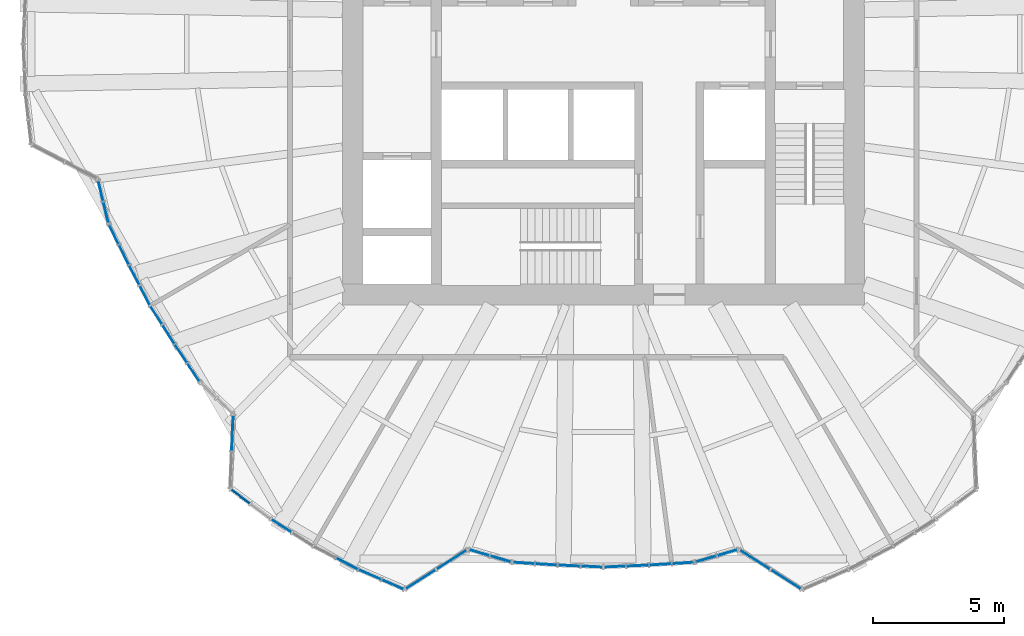
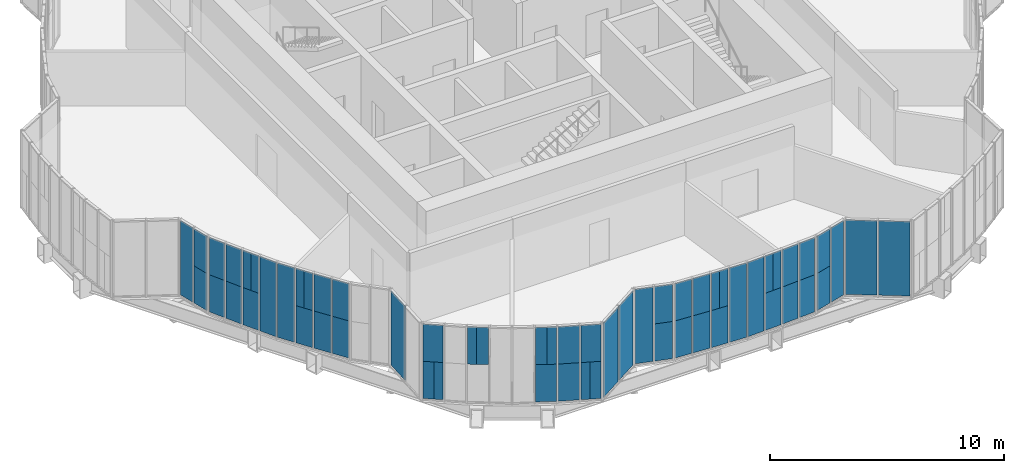
# One storey, part 13 of 24: 59 plates, 18 elements without a shape of their own.
"""IFC4 building model written with IfcOpenShell, lengths in metres."""

from ifc_helpers import new_model, si_unit, direction, frame, origin, origin_2d, place, context, subcontext, project, spatial, rectangle, extrude, material, layer, layer_set, type_object, element, aggregate, save


model = new_model("IFC4")

# Units and contexts
model_context = context("Model", 3, precision=1e-05, world=origin(), true_north=direction((0.0, 1.0)))
body_context = subcontext(model_context, "Body", "Model", "MODEL_VIEW")
ifc_project = project(units=[si_unit("LENGTHUNIT", "METRE"), si_unit("AREAUNIT", "SQUARE_METRE"), si_unit("VOLUMEUNIT", "CUBIC_METRE"), si_unit("PLANEANGLEUNIT", "RADIAN"), si_unit("MASSUNIT", "GRAM", prefix="KILO")], contexts=[model_context])

# Site, building, storey
site_placement = place(None, origin())
site = spatial("IfcSite", under=ifc_project, at=site_placement, CompositionType="ELEMENT")
building_placement = place(site_placement, origin())
building = spatial("IfcBuilding", under=site, at=building_placement, Name="Golbaran Civic Tower", CompositionType="ELEMENT")
storey_placement = place(building_placement, frame((0.0, 0.0, 25.0)))
storey = spatial("IfcBuildingStorey", under=building, at=storey_placement, Name="L05", CompositionType="ELEMENT", Elevation=25.0)

# Curtain wall, plates
ifc_material_1 = material(Name="Aluminium and glass", Category="aluminium")
curtain_wall_type = type_object("IfcCurtainWallType", Name="INNER SKIN CURTAIN WALL", PredefinedType="NOTDEFINED", material=ifc_material_1)
curtain_wall_1_placement = place(storey_placement, origin())
curtain_wall_1 = element("IfcCurtainWall", 1, at=curtain_wall_1_placement, inside=storey, type_object=curtain_wall_type, Name="Inner skin L05 facet 40 CW1", ObjectType="INNER SKIN", PredefinedType="USERDEFINED")
ifc_material_2 = material(Name="Clear insulating glass", Category="glass")
ifc_layer_1 = layer(ifc_material_2, 0.031982421875, Name="Clear insulating glass")
ifc_layer_set_1 = layer_set([ifc_layer_1], Name="Clear insulating glass")
plate_type_1 = type_object("IfcPlateType", Name="INNER SKIN CURTAIN WALL GLAZED PANEL", PredefinedType="CURTAIN_PANEL", material=ifc_layer_set_1)
plate_1_placement = place(storey_placement, frame((-19.256591796875, -5.631591796875, 0.06494140625), z_axis=(0.0, 0.0, 1.0), x_axis=(0.235524616461, -0.9718683836, 0.0)))
plate_1 = element("IfcPlate", 2, at=plate_1_placement, type_object=plate_type_1, Name="CW1 panel 1.1", PredefinedType="CURTAIN_PANEL", context=body_context, shape_type="SweptSolid", body=[
    extrude(rectangle(XDim=0.781494140625, YDim=0.031982421875, at=origin_2d()), origin(), (0.0, 0.0, 1.0), 3.8701171875),
])
plate_2_placement = place(storey_placement, frame((-19.05712890625, -6.454345703125, 0.06494140625), z_axis=(0.0, 0.0, 1.0), x_axis=(0.235524616461, -0.9718683836, 0.0)))
plate_2 = element("IfcPlate", 3, at=plate_2_placement, type_object=plate_type_1, Name="CW1 panel 2.1 part 1", PredefinedType="CURTAIN_PANEL", context=body_context, shape_type="SweptSolid", body=[
    extrude(rectangle(XDim=0.781494140625, YDim=0.031982421875, at=origin_2d()), origin(), (0.0, 0.0, 1.0), 1.93505859375),
])

curtain_wall_2_placement = place(storey_placement, origin())
curtain_wall_2 = element("IfcCurtainWall", 4, at=curtain_wall_2_placement, inside=storey, type_object=curtain_wall_type, Name="Inner skin L05 facet 42 CW1", ObjectType="INNER SKIN", PredefinedType="USERDEFINED")
plate_3_placement = place(storey_placement, frame((-17.874267578125, -9.037841796875, 2.0), z_axis=(0.0, 0.0, 1.0), x_axis=(0.461748613189, -0.887010833202, 0.0)))
plate_3 = element("IfcPlate", 5, at=plate_3_placement, type_object=plate_type_1, Name="CW1 panel 1.1 part 3", PredefinedType="CURTAIN_PANEL", context=body_context, shape_type="SweptSolid", body=[
    extrude(rectangle(XDim=0.408447265625, YDim=0.031982421875, at=origin_2d()), origin(), (0.0, 0.0, 1.0), 1.93505859375),
])
plate_4_placement = place(storey_placement, frame((-17.56298828125, -9.6357421875, 0.06494140625), z_axis=(0.0, 0.0, 1.0), x_axis=(0.461748613189, -0.887010833202, 0.0)))
plate_4 = element("IfcPlate", 6, at=plate_4_placement, type_object=plate_type_1, Name="CW1 panel 2.1", PredefinedType="CURTAIN_PANEL", context=body_context, shape_type="SweptSolid", body=[
    extrude(rectangle(XDim=0.809326171875, YDim=0.031982421875, at=origin_2d()), origin(), (0.0, 0.0, 1.0), 3.8701171875),
])

curtain_wall_3_placement = place(storey_placement, origin())
curtain_wall_3 = element("IfcCurtainWall", 7, at=curtain_wall_3_placement, inside=storey, type_object=curtain_wall_type, Name="Inner skin L05 facet 43 CW1", ObjectType="INNER SKIN", PredefinedType="USERDEFINED")
plate_5_placement = place(storey_placement, frame((-17.126220703125, -10.392333984375, 0.06494140625), z_axis=(0.0, 0.0, 1.0), x_axis=(0.537299608303, -0.843391445841, 0.0)))
plate_5 = element("IfcPlate", 8, at=plate_5_placement, type_object=plate_type_1, Name="CW1 panel 1.1", PredefinedType="CURTAIN_PANEL", context=body_context, shape_type="SweptSolid", body=[
    extrude(rectangle(XDim=0.809326171875, YDim=0.031982421875, at=origin_2d()), origin(), (0.0, 0.0, 1.0), 3.8701171875),
])
plate_6_placement = place(storey_placement, frame((-16.764404296875, -10.96044921875, 2.0), z_axis=(0.0, 0.0, 1.0), x_axis=(0.537299608303, -0.843391445841, 0.0)))
plate_6 = element("IfcPlate", 9, at=plate_6_placement, type_object=plate_type_1, Name="CW1 panel 2.1 part 2", PredefinedType="CURTAIN_PANEL", context=body_context, shape_type="SweptSolid", body=[
    extrude(rectangle(XDim=0.407958984375, YDim=0.031982421875, at=origin_2d()), origin(), (0.0, 0.0, 1.0), 1.93505859375),
])

# Curtain wall, plate
curtain_wall_4_placement = place(storey_placement, origin())
curtain_wall_4 = element("IfcCurtainWall", 10, at=curtain_wall_4_placement, inside=storey, type_object=curtain_wall_type, Name="Inner skin L05 facet 46 CW1", ObjectType="INNER SKIN", PredefinedType="USERDEFINED")
plate_7_placement = place(storey_placement, frame((-14.2080078125, -14.9091796875, 0.06494140625), z_axis=(0.0, 0.0, 1.0), x_axis=(-0.044524171678, -0.999008307341, 0.0)))
plate_7 = element("IfcPlate", 11, at=plate_7_placement, type_object=plate_type_1, Name="CW1 panel 1.1", PredefinedType="CURTAIN_PANEL", context=body_context, shape_type="SweptSolid", body=[
    extrude(rectangle(XDim=1.33935546875, YDim=0.031982421875, at=origin_2d()), origin(), (0.0, 0.0, 1.0), 3.8701171875),
])
aggregate(curtain_wall_4, [plate_7])

curtain_wall_5_placement = place(storey_placement, origin())
curtain_wall_5 = element("IfcCurtainWall", 12, at=curtain_wall_5_placement, inside=storey, type_object=curtain_wall_type, Name="Inner skin L05 facet 47 CW1", ObjectType="INNER SKIN", PredefinedType="USERDEFINED")
plate_8_placement = place(storey_placement, frame((-14.06201171875, -17.22509765625, 0.06494140625), z_axis=(0.0, 0.0, 1.0), x_axis=(0.802969962931, -0.596019495177, 0.0)))
plate_8 = element("IfcPlate", 13, at=plate_8_placement, type_object=plate_type_1, Name="CW1 panel 1.1 part 1", PredefinedType="CURTAIN_PANEL", context=body_context, shape_type="SweptSolid", body=[
    extrude(rectangle(XDim=0.470947265625, YDim=0.031982421875, at=origin_2d()), origin(), (0.0, 0.0, 1.0), 1.93505859375),
])

curtain_wall_6_placement = place(storey_placement, origin())
curtain_wall_6 = element("IfcCurtainWall", 14, at=curtain_wall_6_placement, inside=storey, type_object=curtain_wall_type, Name="Inner skin L05 facet 48 CW1", ObjectType="INNER SKIN", PredefinedType="USERDEFINED")
plate_9_placement = place(storey_placement, frame((-12.16796875, -18.5703125, 2.0), z_axis=(0.0, 0.0, 1.0), x_axis=(0.843391445869, -0.537299608259, 0.0)))
plate_9 = element("IfcPlate", 15, at=plate_9_placement, type_object=plate_type_1, Name="CW1 panel 1.1 part 3", PredefinedType="CURTAIN_PANEL", context=body_context, shape_type="SweptSolid", body=[
    extrude(rectangle(XDim=0.504150390625, YDim=0.031982421875, at=origin_2d()), origin(), (0.0, 0.0, 1.0), 1.93505859375),
])

curtain_wall_7_placement = place(storey_placement, origin())
curtain_wall_7 = element("IfcCurtainWall", 16, at=curtain_wall_7_placement, inside=storey, type_object=curtain_wall_type, Name="Inner skin L05 facet 49 CW1", ObjectType="INNER SKIN", PredefinedType="USERDEFINED")
plate_10_placement = place(storey_placement, frame((-9.998779296875, -19.82275390625, 2.0), z_axis=(0.0, 0.0, 1.0), x_axis=(0.887010833033, -0.461748613514, 0.0)))
plate_10 = element("IfcPlate", 17, at=plate_10_placement, type_object=plate_type_1, Name="CW1 panel 2.1 part 2", PredefinedType="CURTAIN_PANEL", context=body_context, shape_type="SweptSolid", body=[
    extrude(rectangle(XDim=0.5029296875, YDim=0.031982421875, at=origin_2d()), origin(), (0.0, 0.0, 1.0), 1.93505859375),
])

curtain_wall_8_placement = place(storey_placement, origin())
curtain_wall_8 = element("IfcCurtainWall", 18, at=curtain_wall_8_placement, inside=storey, type_object=curtain_wall_type, Name="Inner skin L05 facet 50 CW1", ObjectType="INNER SKIN", PredefinedType="USERDEFINED")
plate_11_placement = place(storey_placement, frame((-7.88671875, -20.79052734375, 0.06494140625), z_axis=(0.0, 0.0, 1.0), x_axis=(0.917653005474, -0.397382638705, 0.0)))
plate_11 = element("IfcPlate", 19, at=plate_11_placement, type_object=plate_type_1, Name="CW1 panel 2.1 part 2", PredefinedType="CURTAIN_PANEL", context=body_context, shape_type="SweptSolid", body=[
    extrude(rectangle(XDim=0.4716796875, YDim=0.031982421875, at=origin_2d()), origin(), (0.0, 0.0, 1.0), 1.93505859375),
])

# Curtain wall, plates
curtain_wall_9_placement = place(storey_placement, origin())
curtain_wall_9 = element("IfcCurtainWall", 20, at=curtain_wall_9_placement, inside=storey, type_object=curtain_wall_type, Name="Inner skin L05 facet 51 CW1", ObjectType="INNER SKIN", PredefinedType="USERDEFINED")
plate_12_placement = place(storey_placement, frame((-6.991455078125, -20.5146484375, 0.06494140625), z_axis=(0.0, 0.0, 1.0), x_axis=(0.842904487042, 0.53806321722, 0.0)))
plate_12 = element("IfcPlate", 21, at=plate_12_placement, type_object=plate_type_1, Name="CW1 panel 1.1", PredefinedType="CURTAIN_PANEL", context=body_context, shape_type="SweptSolid", body=[
    extrude(rectangle(XDim=1.33935546875, YDim=0.031982421875, at=origin_2d()), origin(), (0.0, 0.0, 1.0), 3.8701171875),
])
plate_13_placement = place(storey_placement, frame((-5.807861328125, -19.75927734375, 0.06494140625), z_axis=(0.0, 0.0, 1.0), x_axis=(0.842904487042, 0.53806321722, 0.0)))
plate_13 = element("IfcPlate", 22, at=plate_13_placement, type_object=plate_type_1, Name="CW1 panel 2.1", PredefinedType="CURTAIN_PANEL", context=body_context, shape_type="SweptSolid", body=[
    extrude(rectangle(XDim=1.33935546875, YDim=0.031982421875, at=origin_2d()), origin(), (0.0, 0.0, 1.0), 3.8701171875),
])
aggregate(curtain_wall_9, [plate_12, plate_13])

curtain_wall_10_placement = place(storey_placement, origin())
curtain_wall_10 = element("IfcCurtainWall", 23, at=curtain_wall_10_placement, inside=storey, type_object=curtain_wall_type, Name="Inner skin L05 facet 52 CW1", ObjectType="INNER SKIN", PredefinedType="USERDEFINED")
plate_14_placement = place(storey_placement, frame((-4.751220703125, -19.492431640625, 0.06494140625), z_axis=(0.0, 0.0, 1.0), x_axis=(0.959425017612, -0.28196389056, 0.0)))
plate_14 = element("IfcPlate", 24, at=plate_14_placement, type_object=plate_type_1, Name="CW1 panel 1.1", PredefinedType="CURTAIN_PANEL", context=body_context, shape_type="SweptSolid", body=[
    extrude(rectangle(XDim=0.781494140625, YDim=0.031982421875, at=origin_2d()), origin(), (0.0, 0.0, 1.0), 3.8701171875),
])
plate_15_placement = place(storey_placement, frame((-3.93896484375, -19.731201171875, 0.06494140625), z_axis=(0.0, 0.0, 1.0), x_axis=(0.959425017612, -0.28196389056, 0.0)))
plate_15 = element("IfcPlate", 25, at=plate_15_placement, type_object=plate_type_1, Name="CW1 panel 2.1 part 1", PredefinedType="CURTAIN_PANEL", context=body_context, shape_type="SweptSolid", body=[
    extrude(rectangle(XDim=0.781494140625, YDim=0.031982421875, at=origin_2d()), origin(), (0.0, 0.0, 1.0), 1.93505859375),
])

curtain_wall_11_placement = place(storey_placement, origin())
curtain_wall_11 = element("IfcCurtainWall", 26, at=curtain_wall_11_placement, inside=storey, type_object=curtain_wall_type, Name="Inner skin L05 facet 54 CW1", ObjectType="INNER SKIN", PredefinedType="USERDEFINED")
plate_16_placement = place(storey_placement, frame((-1.110107421875, -19.99853515625, 2.0), z_axis=(0.0, 0.0, 1.0), x_axis=(0.999048221591, -0.043619387156, 0.0)))
plate_16 = element("IfcPlate", 27, at=plate_16_placement, type_object=plate_type_1, Name="CW1 panel 1.1 part 3", PredefinedType="CURTAIN_PANEL", context=body_context, shape_type="SweptSolid", body=[
    extrude(rectangle(XDim=0.408447265625, YDim=0.031982421875, at=origin_2d()), origin(), (0.0, 0.0, 1.0), 1.93505859375),
])
plate_17_placement = place(storey_placement, frame((-0.436767578125, -20.02783203125, 0.06494140625), z_axis=(0.0, 0.0, 1.0), x_axis=(0.999048221591, -0.043619387156, 0.0)))
plate_17 = element("IfcPlate", 28, at=plate_17_placement, type_object=plate_type_1, Name="CW1 panel 2.1", PredefinedType="CURTAIN_PANEL", context=body_context, shape_type="SweptSolid", body=[
    extrude(rectangle(XDim=0.809326171875, YDim=0.031982421875, at=origin_2d()), origin(), (0.0, 0.0, 1.0), 3.8701171875),
])

curtain_wall_12_placement = place(storey_placement, origin())
curtain_wall_12 = element("IfcCurtainWall", 29, at=curtain_wall_12_placement, inside=storey, type_object=curtain_wall_type, Name="Inner skin L05 facet 55 CW1", ObjectType="INNER SKIN", PredefinedType="USERDEFINED")
plate_18_placement = place(storey_placement, frame((0.436767578125, -20.02783203125, 0.06494140625), z_axis=(0.0, 0.0, 1.0), x_axis=(0.999048221591, 0.043619387156, 0.0)))
plate_18 = element("IfcPlate", 30, at=plate_18_placement, type_object=plate_type_1, Name="CW1 panel 1.1", PredefinedType="CURTAIN_PANEL", context=body_context, shape_type="SweptSolid", body=[
    extrude(rectangle(XDim=0.809326171875, YDim=0.031982421875, at=origin_2d()), origin(), (0.0, 0.0, 1.0), 3.8701171875),
])
plate_19_placement = place(storey_placement, frame((1.10986328125, -19.99853515625, 2.0), z_axis=(0.0, 0.0, 1.0), x_axis=(0.999048221591, 0.043619387156, 0.0)))
plate_19 = element("IfcPlate", 31, at=plate_19_placement, type_object=plate_type_1, Name="CW1 panel 2.1 part 2", PredefinedType="CURTAIN_PANEL", context=body_context, shape_type="SweptSolid", body=[
    extrude(rectangle(XDim=0.407958984375, YDim=0.031982421875, at=origin_2d()), origin(), (0.0, 0.0, 1.0), 1.93505859375),
])

curtain_wall_13_placement = place(storey_placement, origin())
curtain_wall_13 = element("IfcCurtainWall", 32, at=curtain_wall_13_placement, inside=storey, type_object=curtain_wall_type, Name="Inner skin L05 facet 57 CW1", ObjectType="INNER SKIN", PredefinedType="USERDEFINED")
plate_20_placement = place(storey_placement, frame((3.93896484375, -19.731201171875, 0.06494140625), z_axis=(0.0, 0.0, 1.0), x_axis=(0.959425017612, 0.28196389056, 0.0)))
plate_20 = element("IfcPlate", 33, at=plate_20_placement, type_object=plate_type_1, Name="CW1 panel 1.1 part 1", PredefinedType="CURTAIN_PANEL", context=body_context, shape_type="SweptSolid", body=[
    extrude(rectangle(XDim=0.781494140625, YDim=0.031982421875, at=origin_2d()), origin(), (0.0, 0.0, 1.0), 1.93505859375),
])
plate_21_placement = place(storey_placement, frame((4.751220703125, -19.492431640625, 0.06494140625), z_axis=(0.0, 0.0, 1.0), x_axis=(0.959425017612, 0.28196389056, 0.0)))
plate_21 = element("IfcPlate", 34, at=plate_21_placement, type_object=plate_type_1, Name="CW1 panel 2.1", PredefinedType="CURTAIN_PANEL", context=body_context, shape_type="SweptSolid", body=[
    extrude(rectangle(XDim=0.781494140625, YDim=0.031982421875, at=origin_2d()), origin(), (0.0, 0.0, 1.0), 3.8701171875),
])

curtain_wall_14_placement = place(storey_placement, origin())
curtain_wall_14 = element("IfcCurtainWall", 35, at=curtain_wall_14_placement, inside=storey, type_object=curtain_wall_type, Name="Inner skin L05 facet 58 CW1", ObjectType="INNER SKIN", PredefinedType="USERDEFINED")
plate_22_placement = place(storey_placement, frame((5.807861328125, -19.75927734375, 0.06494140625), z_axis=(0.0, 0.0, 1.0), x_axis=(0.842904487042, -0.53806321722, 0.0)))
plate_22 = element("IfcPlate", 36, at=plate_22_placement, type_object=plate_type_1, Name="CW1 panel 1.1", PredefinedType="CURTAIN_PANEL", context=body_context, shape_type="SweptSolid", body=[
    extrude(rectangle(XDim=1.33935546875, YDim=0.031982421875, at=origin_2d()), origin(), (0.0, 0.0, 1.0), 3.8701171875),
])
plate_23_placement = place(storey_placement, frame((6.991455078125, -20.5146484375, 0.06494140625), z_axis=(0.0, 0.0, 1.0), x_axis=(0.842904487042, -0.53806321722, 0.0)))
plate_23 = element("IfcPlate", 37, at=plate_23_placement, type_object=plate_type_1, Name="CW1 panel 2.1", PredefinedType="CURTAIN_PANEL", context=body_context, shape_type="SweptSolid", body=[
    extrude(rectangle(XDim=1.33935546875, YDim=0.031982421875, at=origin_2d()), origin(), (0.0, 0.0, 1.0), 3.8701171875),
])
aggregate(curtain_wall_14, [plate_22, plate_23])

# Plate
ifc_material_3 = material(Name="Aluminium faced opaque infill panel", Category="aluminium")
ifc_layer_2 = layer(ifc_material_3, 0.031982421875, Name="Aluminium faced opaque infill panel")
ifc_layer_set_2 = layer_set([ifc_layer_2], Name="Aluminium faced opaque infill panel")
plate_type_2 = type_object("IfcPlateType", Name="INNER SKIN CURTAIN WALL OPAQUE INFILL PANEL", PredefinedType="CURTAIN_PANEL", material=ifc_layer_set_2)
plate_24_placement = place(storey_placement, frame((-19.05712890625, -6.454345703125, 2.0), z_axis=(0.0, 0.0, 1.0), x_axis=(0.235524616461, -0.9718683836, 0.0)))
plate_24 = element("IfcPlate", 38, at=plate_24_placement, type_object=plate_type_2, Name="CW1 infill panel 2.1 part 2", PredefinedType="CURTAIN_PANEL", context=body_context, shape_type="SweptSolid", body=[
    extrude(rectangle(XDim=0.781494140625, YDim=0.031982421875, at=origin_2d()), origin(), (0.0, 0.0, 1.0), 1.93505859375),
])

aggregate(curtain_wall_1, [plate_1, plate_2, plate_24])

# Curtain wall, plates
curtain_wall_15_placement = place(storey_placement, origin())
curtain_wall_15 = element("IfcCurtainWall", 39, at=curtain_wall_15_placement, inside=storey, type_object=curtain_wall_type, Name="Inner skin L05 facet 41 CW1", ObjectType="INNER SKIN", PredefinedType="USERDEFINED")
plate_25_placement = place(storey_placement, frame((-18.747314453125, -7.305419921875, 0.06494140625), z_axis=(0.0, 0.0, 1.0), x_axis=(0.444282631597, -0.895886679922, 0.0)))
plate_25 = element("IfcPlate", 40, at=plate_25_placement, type_object=plate_type_2, Name="CW1 infill panel 1.1 part 1", PredefinedType="CURTAIN_PANEL", context=body_context, shape_type="SweptSolid", body=[
    extrude(rectangle(XDim=0.781494140625, YDim=0.031982421875, at=origin_2d()), origin(), (0.0, 0.0, 1.0), 1.93505859375),
])
plate_26_placement = place(storey_placement, frame((-18.747314453125, -7.305419921875, 2.0), z_axis=(0.0, 0.0, 1.0), x_axis=(0.444282631597, -0.895886679922, 0.0)))
plate_26 = element("IfcPlate", 41, at=plate_26_placement, type_object=plate_type_2, Name="CW1 infill panel 1.1 part 2", PredefinedType="CURTAIN_PANEL", context=body_context, shape_type="SweptSolid", body=[
    extrude(rectangle(XDim=0.781494140625, YDim=0.031982421875, at=origin_2d()), origin(), (0.0, 0.0, 1.0), 1.93505859375),
])
plate_27_placement = place(storey_placement, frame((-18.364013671875, -8.078369140625, 0.06494140625), z_axis=(0.0, 0.0, 1.0), x_axis=(0.444282631597, -0.895886679922, 0.0)))
plate_27 = element("IfcPlate", 42, at=plate_27_placement, type_object=plate_type_2, Name="CW1 infill panel 2.1 part 1", PredefinedType="CURTAIN_PANEL", context=body_context, shape_type="SweptSolid", body=[
    extrude(rectangle(XDim=0.81396484375, YDim=0.031982421875, at=origin_2d()), origin(), (0.0, 0.0, 1.0), 1.93505859375),
])
plate_28_placement = place(storey_placement, frame((-18.364013671875, -8.078369140625, 2.0), z_axis=(0.0, 0.0, 1.0), x_axis=(0.444282631597, -0.895886679922, 0.0)))
plate_28 = element("IfcPlate", 43, at=plate_28_placement, type_object=plate_type_2, Name="CW1 infill panel 2.1 part 2", PredefinedType="CURTAIN_PANEL", context=body_context, shape_type="SweptSolid", body=[
    extrude(rectangle(XDim=0.81396484375, YDim=0.031982421875, at=origin_2d()), origin(), (0.0, 0.0, 1.0), 1.93505859375),
])
aggregate(curtain_wall_15, [plate_25, plate_26, plate_27, plate_28])

# Plate
plate_29_placement = place(storey_placement, frame((-17.966796875, -8.860107421875, 0.06494140625), z_axis=(0.0, 0.0, 1.0), x_axis=(0.461748613189, -0.887010833202, 0.0)))
plate_29 = element("IfcPlate", 44, at=plate_29_placement, type_object=plate_type_2, Name="CW1 infill panel 1.1 part 1", PredefinedType="CURTAIN_PANEL", context=body_context, shape_type="SweptSolid", body=[
    extrude(rectangle(XDim=0.809326171875, YDim=0.031982421875, at=origin_2d()), origin(), (0.0, 0.0, 1.0), 1.93505859375),
])

plate_30_placement = place(storey_placement, frame((-18.061279296875, -8.678955078125, 2.0), z_axis=(0.0, 0.0, 1.0), x_axis=(0.461748613189, -0.887010833202, 0.0)))
plate_30 = element("IfcPlate", 45, at=plate_30_placement, type_object=plate_type_2, Name="CW1 infill panel 1.1 part 2", PredefinedType="CURTAIN_PANEL", context=body_context, shape_type="SweptSolid", body=[
    extrude(rectangle(XDim=0.40087890625, YDim=0.031982421875, at=origin_2d()), origin(), (0.0, 0.0, 1.0), 1.93505859375),
])

aggregate(curtain_wall_2, [plate_29, plate_30, plate_3, plate_4])

plate_31_placement = place(storey_placement, frame((-16.656494140625, -11.129638671875, 0.06494140625), z_axis=(0.0, 0.0, 1.0), x_axis=(0.537299608303, -0.843391445841, 0.0)))
plate_31 = element("IfcPlate", 46, at=plate_31_placement, type_object=plate_type_2, Name="CW1 infill panel 2.1 part 1", PredefinedType="CURTAIN_PANEL", context=body_context, shape_type="SweptSolid", body=[
    extrude(rectangle(XDim=0.809326171875, YDim=0.031982421875, at=origin_2d()), origin(), (0.0, 0.0, 1.0), 1.93505859375),
])

plate_32_placement = place(storey_placement, frame((-16.546875, -11.3017578125, 2.0), z_axis=(0.0, 0.0, 1.0), x_axis=(0.537299608303, -0.843391445841, 0.0)))
plate_32 = element("IfcPlate", 47, at=plate_32_placement, type_object=plate_type_2, Name="CW1 infill panel 2.1 part 3", PredefinedType="CURTAIN_PANEL", context=body_context, shape_type="SweptSolid", body=[
    extrude(rectangle(XDim=0.4013671875, YDim=0.031982421875, at=origin_2d()), origin(), (0.0, 0.0, 1.0), 1.93505859375),
])

aggregate(curtain_wall_3, [plate_5, plate_31, plate_6, plate_32])

# Curtain wall, plates
curtain_wall_16_placement = place(storey_placement, origin())
curtain_wall_16 = element("IfcCurtainWall", 48, at=curtain_wall_16_placement, inside=storey, type_object=curtain_wall_type, Name="Inner skin L05 facet 44 CW1", ObjectType="INNER SKIN", PredefinedType="USERDEFINED")
plate_33_placement = place(storey_placement, frame((-16.17822265625, -11.864501953125, 0.06494140625), z_axis=(0.0, 0.0, 1.0), x_axis=(0.553719307998, -0.832703385336, 0.0)))
plate_33 = element("IfcPlate", 49, at=plate_33_placement, type_object=plate_type_2, Name="CW1 infill panel 1.1 part 1", PredefinedType="CURTAIN_PANEL", context=body_context, shape_type="SweptSolid", body=[
    extrude(rectangle(XDim=0.81396484375, YDim=0.031982421875, at=origin_2d()), origin(), (0.0, 0.0, 1.0), 1.93505859375),
])
plate_34_placement = place(storey_placement, frame((-16.17822265625, -11.864501953125, 2.0), z_axis=(0.0, 0.0, 1.0), x_axis=(0.553719307998, -0.832703385336, 0.0)))
plate_34 = element("IfcPlate", 50, at=plate_34_placement, type_object=plate_type_2, Name="CW1 infill panel 1.1 part 2", PredefinedType="CURTAIN_PANEL", context=body_context, shape_type="SweptSolid", body=[
    extrude(rectangle(XDim=0.81396484375, YDim=0.031982421875, at=origin_2d()), origin(), (0.0, 0.0, 1.0), 1.93505859375),
])
plate_35_placement = place(storey_placement, frame((-15.700439453125, -12.5830078125, 0.06494140625), z_axis=(0.0, 0.0, 1.0), x_axis=(0.553719307998, -0.832703385336, 0.0)))
plate_35 = element("IfcPlate", 51, at=plate_35_placement, type_object=plate_type_2, Name="CW1 infill panel 2.1 part 1", PredefinedType="CURTAIN_PANEL", context=body_context, shape_type="SweptSolid", body=[
    extrude(rectangle(XDim=0.781494140625, YDim=0.031982421875, at=origin_2d()), origin(), (0.0, 0.0, 1.0), 1.93505859375),
])
plate_36_placement = place(storey_placement, frame((-15.700439453125, -12.5830078125, 2.0), z_axis=(0.0, 0.0, 1.0), x_axis=(0.553719307998, -0.832703385336, 0.0)))
plate_36 = element("IfcPlate", 52, at=plate_36_placement, type_object=plate_type_2, Name="CW1 infill panel 2.1 part 2", PredefinedType="CURTAIN_PANEL", context=body_context, shape_type="SweptSolid", body=[
    extrude(rectangle(XDim=0.781494140625, YDim=0.031982421875, at=origin_2d()), origin(), (0.0, 0.0, 1.0), 1.93505859375),
])
aggregate(curtain_wall_16, [plate_33, plate_34, plate_35, plate_36])

# Plate
plate_37_placement = place(storey_placement, frame((-13.711669921875, -17.485107421875, 0.06494140625), z_axis=(0.0, 0.0, 1.0), x_axis=(0.802969962931, -0.596019495177, 0.0)))
plate_37 = element("IfcPlate", 53, at=plate_37_placement, type_object=plate_type_2, Name="CW1 infill panel 1.1 part 2", PredefinedType="CURTAIN_PANEL", context=body_context, shape_type="SweptSolid", body=[
    extrude(rectangle(XDim=0.401611328125, YDim=0.031982421875, at=origin_2d()), origin(), (0.0, 0.0, 1.0), 1.93505859375),
])

plate_38_placement = place(storey_placement, frame((-13.90087890625, -17.3447265625, 2.0), z_axis=(0.0, 0.0, 1.0), x_axis=(0.802969962931, -0.596019495177, 0.0)))
plate_38 = element("IfcPlate", 54, at=plate_38_placement, type_object=plate_type_2, Name="CW1 infill panel 1.1 part 3", PredefinedType="CURTAIN_PANEL", context=body_context, shape_type="SweptSolid", body=[
    extrude(rectangle(XDim=0.87255859375, YDim=0.031982421875, at=origin_2d()), origin(), (0.0, 0.0, 1.0), 1.93505859375),
])

aggregate(curtain_wall_5, [plate_8, plate_37, plate_38])

plate_39_placement = place(storey_placement, frame((-12.54931640625, -18.327392578125, 2.0), z_axis=(0.0, 0.0, 1.0), x_axis=(0.843391445869, -0.537299608259, 0.0)))
plate_39 = element("IfcPlate", 55, at=plate_39_placement, type_object=plate_type_2, Name="CW1 infill panel 1.1 part 2", PredefinedType="CURTAIN_PANEL", context=body_context, shape_type="SweptSolid", body=[
    extrude(rectangle(XDim=0.39990234375, YDim=0.031982421875, at=origin_2d()), origin(), (0.0, 0.0, 1.0), 1.93505859375),
])

aggregate(curtain_wall_6, [plate_39, plate_9])

plate_40_placement = place(storey_placement, frame((-9.82080078125, -19.915283203125, 0.06494140625), z_axis=(0.0, 0.0, 1.0), x_axis=(0.887010833033, -0.461748613514, 0.0)))
plate_40 = element("IfcPlate", 56, at=plate_40_placement, type_object=plate_type_2, Name="CW1 infill panel 2.1 part 1", PredefinedType="CURTAIN_PANEL", context=body_context, shape_type="SweptSolid", body=[
    extrude(rectangle(XDim=0.904296875, YDim=0.031982421875, at=origin_2d()), origin(), (0.0, 0.0, 1.0), 1.93505859375),
])

plate_41_placement = place(storey_placement, frame((-9.597900390625, -20.031494140625, 2.0), z_axis=(0.0, 0.0, 1.0), x_axis=(0.887010833033, -0.461748613514, 0.0)))
plate_41 = element("IfcPlate", 57, at=plate_41_placement, type_object=plate_type_2, Name="CW1 infill panel 2.1 part 3", PredefinedType="CURTAIN_PANEL", context=body_context, shape_type="SweptSolid", body=[
    extrude(rectangle(XDim=0.4013671875, YDim=0.031982421875, at=origin_2d()), origin(), (0.0, 0.0, 1.0), 1.93505859375),
])

aggregate(curtain_wall_7, [plate_40, plate_10, plate_41])

plate_42_placement = place(storey_placement, frame((-8.94580078125, -20.331787109375, 0.06494140625), z_axis=(0.0, 0.0, 1.0), x_axis=(0.917653005474, -0.397382638705, 0.0)))
plate_42 = element("IfcPlate", 58, at=plate_42_placement, type_object=plate_type_2, Name="CW1 infill panel 1.1 part 1", PredefinedType="CURTAIN_PANEL", context=body_context, shape_type="SweptSolid", body=[
    extrude(rectangle(XDim=0.905029296875, YDim=0.031982421875, at=origin_2d()), origin(), (0.0, 0.0, 1.0), 1.93505859375),
])

plate_43_placement = place(storey_placement, frame((-8.94580078125, -20.331787109375, 2.0), z_axis=(0.0, 0.0, 1.0), x_axis=(0.917653005474, -0.397382638705, 0.0)))
plate_43 = element("IfcPlate", 59, at=plate_43_placement, type_object=plate_type_2, Name="CW1 infill panel 1.1 part 2", PredefinedType="CURTAIN_PANEL", context=body_context, shape_type="SweptSolid", body=[
    extrude(rectangle(XDim=0.905029296875, YDim=0.031982421875, at=origin_2d()), origin(), (0.0, 0.0, 1.0), 1.93505859375),
])

plate_44_placement = place(storey_placement, frame((-8.287109375, -20.6171875, 0.06494140625), z_axis=(0.0, 0.0, 1.0), x_axis=(0.917653005474, -0.397382638705, 0.0)))
plate_44 = element("IfcPlate", 60, at=plate_44_placement, type_object=plate_type_2, Name="CW1 infill panel 2.1 part 1", PredefinedType="CURTAIN_PANEL", context=body_context, shape_type="SweptSolid", body=[
    extrude(rectangle(XDim=0.40087890625, YDim=0.031982421875, at=origin_2d()), origin(), (0.0, 0.0, 1.0), 1.93505859375),
])

plate_45_placement = place(storey_placement, frame((-8.070556640625, -20.7109375, 2.0), z_axis=(0.0, 0.0, 1.0), x_axis=(0.917653005474, -0.397382638705, 0.0)))
plate_45 = element("IfcPlate", 61, at=plate_45_placement, type_object=plate_type_2, Name="CW1 infill panel 2.1 part 3", PredefinedType="CURTAIN_PANEL", context=body_context, shape_type="SweptSolid", body=[
    extrude(rectangle(XDim=0.87255859375, YDim=0.031982421875, at=origin_2d()), origin(), (0.0, 0.0, 1.0), 1.93505859375),
])

aggregate(curtain_wall_8, [plate_42, plate_43, plate_44, plate_11, plate_45])

plate_46_placement = place(storey_placement, frame((-3.93896484375, -19.731201171875, 2.0), z_axis=(0.0, 0.0, 1.0), x_axis=(0.959425017612, -0.28196389056, 0.0)))
plate_46 = element("IfcPlate", 62, at=plate_46_placement, type_object=plate_type_2, Name="CW1 infill panel 2.1 part 2", PredefinedType="CURTAIN_PANEL", context=body_context, shape_type="SweptSolid", body=[
    extrude(rectangle(XDim=0.781494140625, YDim=0.031982421875, at=origin_2d()), origin(), (0.0, 0.0, 1.0), 1.93505859375),
])

aggregate(curtain_wall_10, [plate_14, plate_15, plate_46])

# Curtain wall, plates
curtain_wall_17_placement = place(storey_placement, origin())
curtain_wall_17 = element("IfcCurtainWall", 63, at=curtain_wall_17_placement, inside=storey, type_object=curtain_wall_type, Name="Inner skin L05 facet 53 CW1", ObjectType="INNER SKIN", PredefinedType="USERDEFINED")
plate_47_placement = place(storey_placement, frame((-3.046875, -19.888427734375, 0.06494140625), z_axis=(0.0, 0.0, 1.0), x_axis=(0.998001939506, -0.063183294799, 0.0)))
plate_47 = element("IfcPlate", 64, at=plate_47_placement, type_object=plate_type_2, Name="CW1 infill panel 1.1 part 1", PredefinedType="CURTAIN_PANEL", context=body_context, shape_type="SweptSolid", body=[
    extrude(rectangle(XDim=0.781494140625, YDim=0.031982421875, at=origin_2d()), origin(), (0.0, 0.0, 1.0), 1.93505859375),
])
plate_48_placement = place(storey_placement, frame((-3.046875, -19.888427734375, 2.0), z_axis=(0.0, 0.0, 1.0), x_axis=(0.998001939506, -0.063183294799, 0.0)))
plate_48 = element("IfcPlate", 65, at=plate_48_placement, type_object=plate_type_2, Name="CW1 infill panel 1.1 part 2", PredefinedType="CURTAIN_PANEL", context=body_context, shape_type="SweptSolid", body=[
    extrude(rectangle(XDim=0.781494140625, YDim=0.031982421875, at=origin_2d()), origin(), (0.0, 0.0, 1.0), 1.93505859375),
])
plate_49_placement = place(storey_placement, frame((-2.185791015625, -19.94287109375, 0.06494140625), z_axis=(0.0, 0.0, 1.0), x_axis=(0.998001939506, -0.063183294799, 0.0)))
plate_49 = element("IfcPlate", 66, at=plate_49_placement, type_object=plate_type_2, Name="CW1 infill panel 2.1 part 1", PredefinedType="CURTAIN_PANEL", context=body_context, shape_type="SweptSolid", body=[
    extrude(rectangle(XDim=0.81396484375, YDim=0.031982421875, at=origin_2d()), origin(), (0.0, 0.0, 1.0), 1.93505859375),
])
plate_50_placement = place(storey_placement, frame((-2.185791015625, -19.94287109375, 2.0), z_axis=(0.0, 0.0, 1.0), x_axis=(0.998001939506, -0.063183294799, 0.0)))
plate_50 = element("IfcPlate", 67, at=plate_50_placement, type_object=plate_type_2, Name="CW1 infill panel 2.1 part 2", PredefinedType="CURTAIN_PANEL", context=body_context, shape_type="SweptSolid", body=[
    extrude(rectangle(XDim=0.81396484375, YDim=0.031982421875, at=origin_2d()), origin(), (0.0, 0.0, 1.0), 1.93505859375),
])
aggregate(curtain_wall_17, [plate_47, plate_48, plate_49, plate_50])

# Plate
plate_51_placement = place(storey_placement, frame((-1.310302734375, -19.98974609375, 0.06494140625), z_axis=(0.0, 0.0, 1.0), x_axis=(0.999048221591, -0.043619387156, 0.0)))
plate_51 = element("IfcPlate", 68, at=plate_51_placement, type_object=plate_type_2, Name="CW1 infill panel 1.1 part 1", PredefinedType="CURTAIN_PANEL", context=body_context, shape_type="SweptSolid", body=[
    extrude(rectangle(XDim=0.809326171875, YDim=0.031982421875, at=origin_2d()), origin(), (0.0, 0.0, 1.0), 1.93505859375),
])

plate_52_placement = place(storey_placement, frame((-1.514404296875, -19.98095703125, 2.0), z_axis=(0.0, 0.0, 1.0), x_axis=(0.999048221591, -0.043619387156, 0.0)))
plate_52 = element("IfcPlate", 69, at=plate_52_placement, type_object=plate_type_2, Name="CW1 infill panel 1.1 part 2", PredefinedType="CURTAIN_PANEL", context=body_context, shape_type="SweptSolid", body=[
    extrude(rectangle(XDim=0.40087890625, YDim=0.031982421875, at=origin_2d()), origin(), (0.0, 0.0, 1.0), 1.93505859375),
])

aggregate(curtain_wall_11, [plate_51, plate_52, plate_16, plate_17])

plate_53_placement = place(storey_placement, frame((1.310302734375, -19.98974609375, 0.06494140625), z_axis=(0.0, 0.0, 1.0), x_axis=(0.999048221591, 0.043619387156, 0.0)))
plate_53 = element("IfcPlate", 70, at=plate_53_placement, type_object=plate_type_2, Name="CW1 infill panel 2.1 part 1", PredefinedType="CURTAIN_PANEL", context=body_context, shape_type="SweptSolid", body=[
    extrude(rectangle(XDim=0.809326171875, YDim=0.031982421875, at=origin_2d()), origin(), (0.0, 0.0, 1.0), 1.93505859375),
])

plate_54_placement = place(storey_placement, frame((1.51416015625, -19.98095703125, 2.0), z_axis=(0.0, 0.0, 1.0), x_axis=(0.999048221591, 0.043619387156, 0.0)))
plate_54 = element("IfcPlate", 71, at=plate_54_placement, type_object=plate_type_2, Name="CW1 infill panel 2.1 part 3", PredefinedType="CURTAIN_PANEL", context=body_context, shape_type="SweptSolid", body=[
    extrude(rectangle(XDim=0.4013671875, YDim=0.031982421875, at=origin_2d()), origin(), (0.0, 0.0, 1.0), 1.93505859375),
])

aggregate(curtain_wall_12, [plate_18, plate_53, plate_19, plate_54])

# Curtain wall, plates
curtain_wall_18_placement = place(storey_placement, origin())
curtain_wall_18 = element("IfcCurtainWall", 72, at=curtain_wall_18_placement, inside=storey, type_object=curtain_wall_type, Name="Inner skin L05 facet 56 CW1", ObjectType="INNER SKIN", PredefinedType="USERDEFINED")
plate_55_placement = place(storey_placement, frame((2.185791015625, -19.94287109375, 0.06494140625), z_axis=(0.0, 0.0, 1.0), x_axis=(0.998001939506, 0.063183294799, 0.0)))
plate_55 = element("IfcPlate", 73, at=plate_55_placement, type_object=plate_type_2, Name="CW1 infill panel 1.1 part 1", PredefinedType="CURTAIN_PANEL", context=body_context, shape_type="SweptSolid", body=[
    extrude(rectangle(XDim=0.81396484375, YDim=0.031982421875, at=origin_2d()), origin(), (0.0, 0.0, 1.0), 1.93505859375),
])
plate_56_placement = place(storey_placement, frame((2.185791015625, -19.94287109375, 2.0), z_axis=(0.0, 0.0, 1.0), x_axis=(0.998001939506, 0.063183294799, 0.0)))
plate_56 = element("IfcPlate", 74, at=plate_56_placement, type_object=plate_type_2, Name="CW1 infill panel 1.1 part 2", PredefinedType="CURTAIN_PANEL", context=body_context, shape_type="SweptSolid", body=[
    extrude(rectangle(XDim=0.81396484375, YDim=0.031982421875, at=origin_2d()), origin(), (0.0, 0.0, 1.0), 1.93505859375),
])
plate_57_placement = place(storey_placement, frame((3.046875, -19.888427734375, 0.06494140625), z_axis=(0.0, 0.0, 1.0), x_axis=(0.998001939506, 0.063183294799, 0.0)))
plate_57 = element("IfcPlate", 75, at=plate_57_placement, type_object=plate_type_2, Name="CW1 infill panel 2.1 part 1", PredefinedType="CURTAIN_PANEL", context=body_context, shape_type="SweptSolid", body=[
    extrude(rectangle(XDim=0.781494140625, YDim=0.031982421875, at=origin_2d()), origin(), (0.0, 0.0, 1.0), 1.93505859375),
])
plate_58_placement = place(storey_placement, frame((3.046875, -19.888427734375, 2.0), z_axis=(0.0, 0.0, 1.0), x_axis=(0.998001939506, 0.063183294799, 0.0)))
plate_58 = element("IfcPlate", 76, at=plate_58_placement, type_object=plate_type_2, Name="CW1 infill panel 2.1 part 2", PredefinedType="CURTAIN_PANEL", context=body_context, shape_type="SweptSolid", body=[
    extrude(rectangle(XDim=0.781494140625, YDim=0.031982421875, at=origin_2d()), origin(), (0.0, 0.0, 1.0), 1.93505859375),
])
aggregate(curtain_wall_18, [plate_55, plate_56, plate_57, plate_58])

# Plate
plate_59_placement = place(storey_placement, frame((3.93896484375, -19.731201171875, 2.0), z_axis=(0.0, 0.0, 1.0), x_axis=(0.959425017612, 0.28196389056, 0.0)))
plate_59 = element("IfcPlate", 77, at=plate_59_placement, type_object=plate_type_2, Name="CW1 infill panel 1.1 part 2", PredefinedType="CURTAIN_PANEL", context=body_context, shape_type="SweptSolid", body=[
    extrude(rectangle(XDim=0.781494140625, YDim=0.031982421875, at=origin_2d()), origin(), (0.0, 0.0, 1.0), 1.93505859375),
])

aggregate(curtain_wall_13, [plate_20, plate_59, plate_21])

save(model, "model.ifc")
